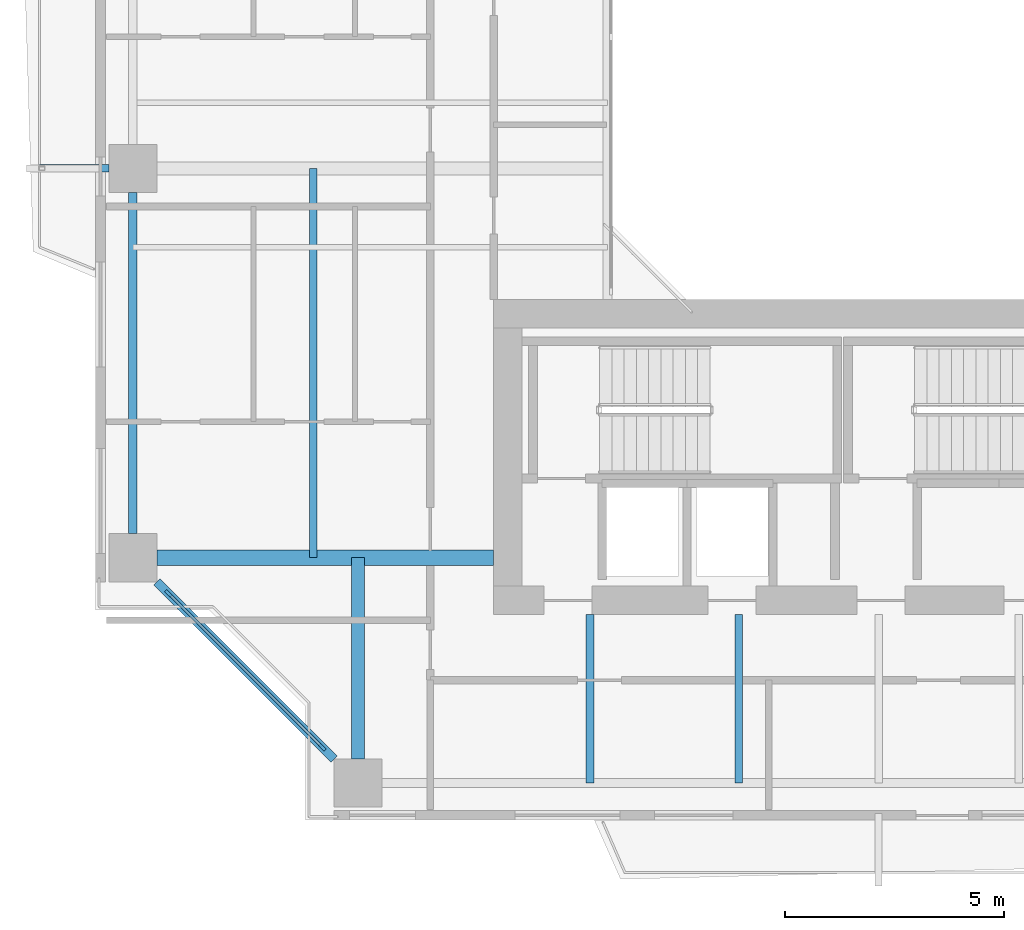
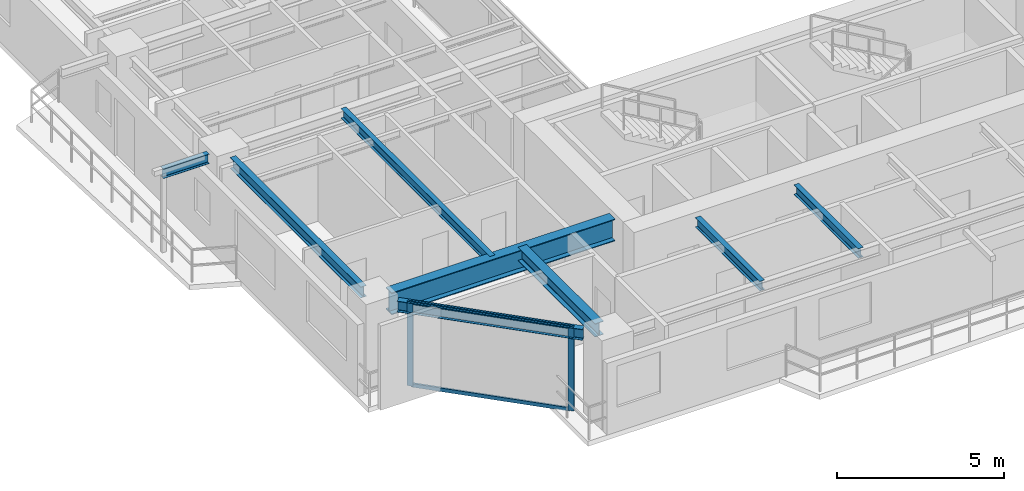
# One storey, part 2 of 24: 8 beams, 4 members, 1 element without a shape of its own.
"""IFC4 building model written with IfcOpenShell, lengths in metres."""

from ifc_helpers import new_model, si_unit, direction, frame, origin, origin_2d, place, context, subcontext, project, spatial, rectangle, i_section, extrude, source, transform, mapped, material, layer, layer_set, material_profile, profile_set, type_object, element, aggregate, save


model = new_model("IFC4")

# Units and contexts
model_context = context("Model", 3, precision=1e-05, world=origin(), true_north=direction((0.0, 1.0)))
body_context = subcontext(model_context, "Body", "Model", "MODEL_VIEW")
ifc_project = project(units=[si_unit("LENGTHUNIT", "METRE"), si_unit("AREAUNIT", "SQUARE_METRE"), si_unit("VOLUMEUNIT", "CUBIC_METRE"), si_unit("PLANEANGLEUNIT", "RADIAN"), si_unit("MASSUNIT", "GRAM", prefix="KILO"), si_unit("THERMODYNAMICTEMPERATUREUNIT", "KELVIN"), si_unit("POWERUNIT", "WATT")], contexts=[model_context])

# Site, building, storey
site_placement = place(None, origin())
site = spatial("IfcSite", under=ifc_project, at=site_placement, CompositionType="ELEMENT")
building_placement = place(site_placement, origin())
building = spatial("IfcBuilding", under=site, at=building_placement, Name="Qiaomeng Ring Towers", CompositionType="ELEMENT")
storey_placement = place(building_placement, frame((0.0, 0.0, 106.75)))
storey = spatial("IfcBuildingStorey", under=building, at=storey_placement, Name="L30", CompositionType="ELEMENT", Elevation=106.75)

# Beams
ifc_material_1 = material(Name="Steel Q355B", Category="steel")
ifc_material_profile_1 = material_profile(ifc_material_1, i_section(OverallWidth=0.199951171875, OverallDepth=0.39990234375, WebThickness=0.008056640625, FlangeThickness=0.012939453125, FilletRadius=0.01611328125, at=origin_2d()), Name="HN 400x200x8x13")
ifc_profile_set_1 = profile_set([ifc_material_profile_1], Name="Steel Q355B")
beam_type_1 = type_object("IfcBeamType", Name="STR-BM-HN400", PredefinedType="SPANDREL", material=ifc_profile_set_1)
shared_shape_1 = source(origin(), body_context, "Body", "SweptSolid", [
    extrude(i_section(OverallWidth=0.199951171875, OverallDepth=0.39990234375, WebThickness=0.008056640625, FlangeThickness=0.012939453125, FilletRadius=0.01611328125, at=origin_2d()), origin(), (0.0, 0.0, 1.0), 5.729736328125),
])
beam_1_placement = place(storey_placement, frame((2.499267578125, 10.55078125, 2.8701171875), z_axis=(0.707106781187, -0.707106781187, 0.0), x_axis=(0.707106781187, 0.707106781187, 0.0)))
element("IfcBeam", 1, at=beam_1_placement, inside=storey, type_object=beam_type_1, Name="L30 beam STR-SP-L30-T1-W1-S1", PredefinedType="SPANDREL", context=body_context, shape_type="MappedRepresentation", body=[
    mapped(shared_shape_1, transform((0.0, 0.0, 0.0), x_axis=(1.0, 0.0, 0.0), y_axis=(0.0, 1.0, 0.0), z_axis=(0.0, 0.0, 1.0), scale=1.0)),
])
shared_shape_2 = source(origin(), body_context, "Body", "SweptSolid", [
    extrude(i_section(OverallWidth=0.199951171875, OverallDepth=0.39990234375, WebThickness=0.008056640625, FlangeThickness=0.012939453125, FilletRadius=0.01611328125, at=origin_2d()), origin(), (0.0, 0.0, 1.0), 7.802001953125),
])
beam_2_placement = place(storey_placement, frame((1.949951171875, 19.450927734375, 2.8701171875), z_axis=(0.0, -1.0, 0.0), x_axis=(1.0, 0.0, 0.0)))
element("IfcBeam", 2, at=beam_2_placement, inside=storey, type_object=beam_type_1, Name="L30 beam STR-SP-L30-T1-W2-W1", PredefinedType="SPANDREL", context=body_context, shape_type="MappedRepresentation", body=[
    mapped(shared_shape_2, transform((0.0, 0.0, 0.0), x_axis=(1.0, 0.0, 0.0), y_axis=(0.0, 1.0, 0.0), z_axis=(0.0, 0.0, 1.0), scale=1.0)),
])
ifc_material_2 = material(Name="Steel Q390GJC", Category="steel")
ifc_material_profile_2 = material_profile(ifc_material_2, i_section(OverallWidth=0.35009765625, OverallDepth=0.800048828125, WebThickness=0.01611328125, FlangeThickness=0.028076171875, at=origin_2d()), Name="WH 800x350x16x28")
ifc_profile_set_2 = profile_set([ifc_material_profile_2], Name="Steel Q390GJC")
beam_type_2 = type_object("IfcBeamType", Name="STR-BM-WH800", PredefinedType="BEAM", material=ifc_profile_set_2)
shared_shape_3 = source(origin(), body_context, "Body", "SweptSolid", [
    extrude(i_section(OverallWidth=0.35009765625, OverallDepth=0.800048828125, WebThickness=0.01611328125, FlangeThickness=0.028076171875, at=origin_2d()), origin(), (0.0, 0.0, 1.0), 7.700927734375),
])
beam_3_placement = place(storey_placement, frame((2.4990234375, 11.10009765625, 2.669921875), z_axis=(1.0, 0.0, 0.0), x_axis=(0.0, 1.0, 0.0)))
element("IfcBeam", 3, at=beam_3_placement, inside=storey, type_object=beam_type_2, Name="L30 beam STR-BM-L30-T1-RAD-W1", PredefinedType="BEAM", context=body_context, shape_type="MappedRepresentation", body=[
    mapped(shared_shape_3, transform((0.0, 0.0, 0.0), x_axis=(1.0, 0.0, 0.0), y_axis=(0.0, 1.0, 0.0), z_axis=(0.0, 0.0, 1.0), scale=1.0)),
])
ifc_material_profile_3 = material_profile(ifc_material_1, i_section(OverallWidth=0.300048828125, OverallDepth=0.488037109375, WebThickness=0.010986328125, FlangeThickness=0.01806640625, FilletRadius=0.02587890625, at=origin_2d()), Name="HM 488x300x11x18")
ifc_profile_set_3 = profile_set([ifc_material_profile_3], Name="Steel Q355B")
beam_type_3 = type_object("IfcBeamType", Name="STR-BM-HM488", PredefinedType="BEAM", material=ifc_profile_set_3)
shared_shape_4 = source(origin(), body_context, "Body", "SweptSolid", [
    extrude(i_section(OverallWidth=0.300048828125, OverallDepth=0.488037109375, WebThickness=0.010986328125, FlangeThickness=0.01806640625, FilletRadius=0.02587890625, at=origin_2d()), origin(), (0.0, 0.0, 1.0), 4.60107421875),
])
beam_4_placement = place(storey_placement, frame((7.10009765625, 6.4990234375, 2.825927734375), z_axis=(0.0, 1.0, 0.0), x_axis=(-1.0, 0.0, 0.0)))
element("IfcBeam", 4, at=beam_4_placement, inside=storey, type_object=beam_type_3, Name="L30 beam STR-BM-L30-T1-RAD-S1", PredefinedType="BEAM", context=body_context, shape_type="MappedRepresentation", body=[
    mapped(shared_shape_4, transform((0.0, 0.0, 0.0), x_axis=(1.0, 0.0, 0.0), y_axis=(0.0, 1.0, 0.0), z_axis=(0.0, 0.0, 1.0), scale=1.0)),
])
ifc_material_profile_4 = material_profile(ifc_material_1, i_section(OverallWidth=0.175048828125, OverallDepth=0.35009765625, WebThickness=0.007080078125, FlangeThickness=0.010986328125, FilletRadius=0.013916015625, at=origin_2d()), Name="HN 350x175x7x11")
ifc_profile_set_4 = profile_set([ifc_material_profile_4], Name="Steel Q355B")
beam_type_4 = type_object("IfcBeamType", Name="STR-BM-HN350", PredefinedType="JOIST", material=ifc_profile_set_4)
shared_shape_5 = source(origin(), body_context, "Body", "SweptSolid", [
    extrude(i_section(OverallWidth=0.175048828125, OverallDepth=0.35009765625, WebThickness=0.007080078125, FlangeThickness=0.010986328125, FilletRadius=0.013916015625, at=origin_2d()), origin(), (0.0, 0.0, 1.0), 1.580810546875),
])
beam_5_placement = place(storey_placement, frame((-0.179931640625, 20.0, 2.89501953125), z_axis=(1.0, 0.0, 0.0), x_axis=(0.0, 1.0, 0.0)))
element("IfcBeam", 5, at=beam_5_placement, inside=storey, type_object=beam_type_4, Name="L30 beam STR-BALBM-L30-W2", PredefinedType="JOIST", context=body_context, shape_type="MappedRepresentation", body=[
    mapped(shared_shape_5, transform((0.0, 0.0, 0.0), x_axis=(1.0, 0.0, 0.0), y_axis=(0.0, 1.0, 0.0), z_axis=(0.0, 0.0, 1.0), scale=1.0)),
])
shared_shape_6 = source(origin(), body_context, "Body", "SweptSolid", [
    extrude(i_section(OverallWidth=0.175048828125, OverallDepth=0.35009765625, WebThickness=0.007080078125, FlangeThickness=0.010986328125, FilletRadius=0.013916015625, at=origin_2d()), origin(), (0.0, 0.0, 1.0), 3.85009765625),
])
for number, where, z_axis, x_axis, name in (
    (6, (12.39990234375, 5.949951171875, 2.89501953125), (0.0, 1.0, 0.0), (-1.0, 0.0, 0.0), "L30 beam STR-JST-L30-T1S-1"),
    (7, (15.800048828125, 5.949951171875, 2.89501953125), (0.0, 1.0, 0.0), (-1.0, 0.0, 0.0), "L30 beam STR-JST-L30-T1S-2"),
):
    element("IfcBeam", number, at=place(storey_placement, frame(where, z_axis=z_axis, x_axis=x_axis)), inside=storey, type_object=beam_type_4, Name=name, PredefinedType="JOIST", context=body_context, shape_type="MappedRepresentation", body=[
        mapped(shared_shape_6, transform((0.0, 0.0, 0.0), x_axis=(1.0, 0.0, 0.0), y_axis=(0.0, 1.0, 0.0), z_axis=(0.0, 0.0, 1.0), scale=1.0)),
    ])
shared_shape_7 = source(origin(), body_context, "Body", "SweptSolid", [
    extrude(i_section(OverallWidth=0.175048828125, OverallDepth=0.35009765625, WebThickness=0.007080078125, FlangeThickness=0.010986328125, FilletRadius=0.013916015625, at=origin_2d()), origin(), (0.0, 0.0, 1.0), 8.89990234375),
])
beam_6_placement = place(storey_placement, frame((6.074951171875, 11.10009765625, 2.89501953125), z_axis=(0.0, 1.0, 0.0), x_axis=(-1.0, 0.0, 0.0)))
element("IfcBeam", 8, at=beam_6_placement, inside=storey, type_object=beam_type_4, Name="L30 beam STR-JST-L30-T1C-WS", PredefinedType="JOIST", context=body_context, shape_type="MappedRepresentation", body=[
    mapped(shared_shape_7, transform((0.0, 0.0, 0.0), x_axis=(1.0, 0.0, 0.0), y_axis=(0.0, 1.0, 0.0), z_axis=(0.0, 0.0, 1.0), scale=1.0)),
])

# Curtain wall, members
ifc_material_3 = material(Name="Fluorocarbon dark-grey aluminium", Category="aluminium")
ifc_layer = layer(ifc_material_3, 0.14990234375, Name="Fluorocarbon dark-grey aluminium")
ifc_layer_set = layer_set([ifc_layer], Name="Fluorocarbon dark-grey aluminium")
curtain_wall_type = type_object("IfcCurtainWallType", Name="ARC-CW-3", PredefinedType="NOTDEFINED", material=ifc_layer_set)
curtain_wall_placement = place(storey_placement, origin())
curtain_wall = element("IfcCurtainWall", 9, at=curtain_wall_placement, inside=storey, type_object=curtain_wall_type, Name="L30 Curtain Wall CW3", PredefinedType="NOTDEFINED")
ifc_material_profile_5 = material_profile(ifc_material_3, rectangle(XDim=0.070068359375, YDim=0.179931640625, at=origin_2d()), Name="ALU MULL 70x180")
ifc_profile_set_5 = profile_set([ifc_material_profile_5], Name="Fluorocarbon dark-grey aluminium")
member_type_1 = type_object("IfcMemberType", Name="ARC-CWM-160", PredefinedType="MULLION", material=ifc_profile_set_5)
shared_shape_8 = source(origin(), body_context, "Body", "SweptSolid", [
    extrude(rectangle(XDim=0.070068359375, YDim=0.179931640625, at=origin_2d()), origin(), (0.0, 0.0, 1.0), 3.070068359375),
])
member_1_placement = place(storey_placement, frame((2.7646484375, 10.28515625, 0.0), z_axis=(0.0, 0.0, 1.0), x_axis=(0.707106781187, 0.707106781187, 0.0)))
member_1 = element("IfcMember", 10, at=member_1_placement, type_object=member_type_1, Name="CW3 mullion 1", PredefinedType="MULLION", context=body_context, shape_type="MappedRepresentation", body=[
    mapped(shared_shape_8, transform((0.0, 0.0, 0.0), x_axis=(1.0, 0.0, 0.0), y_axis=(0.0, 1.0, 0.0), z_axis=(0.0, 0.0, 1.0), scale=1.0)),
])
member_2_placement = place(storey_placement, frame((6.28515625, 6.7646484375, 0.0), z_axis=(0.0, 0.0, 1.0), x_axis=(0.707106781187, 0.707106781187, 0.0)))
member_2 = element("IfcMember", 11, at=member_2_placement, type_object=member_type_1, Name="CW3 mullion 2", PredefinedType="MULLION", context=body_context, shape_type="MappedRepresentation", body=[
    mapped(shared_shape_8, transform((0.0, 0.0, 0.0), x_axis=(1.0, 0.0, 0.0), y_axis=(0.0, 1.0, 0.0), z_axis=(0.0, 0.0, 1.0), scale=1.0)),
])
ifc_material_profile_6 = material_profile(ifc_material_3, rectangle(XDim=0.06494140625, YDim=0.1298828125, at=origin_2d()), Name="ALU TRAN 65x130")
ifc_profile_set_6 = profile_set([ifc_material_profile_6], Name="Fluorocarbon dark-grey aluminium")
member_type_2 = type_object("IfcMemberType", Name="ARC-CWT-120", PredefinedType="USERDEFINED", material=ifc_profile_set_6)
shared_shape_9 = source(origin(), body_context, "Body", "SweptSolid", [
    extrude(rectangle(XDim=0.06494140625, YDim=0.1298828125, at=origin_2d()), origin(), (0.0, 0.0, 1.0), 4.90869140625),
])
member_3_placement = place(storey_placement, frame((2.78955078125, 10.260498046875, 0.032470703125), z_axis=(0.707106781187, -0.707106781187, 0.0), x_axis=(0.707106781187, 0.707106781187, 0.0)))
member_3 = element("IfcMember", 12, at=member_3_placement, type_object=member_type_2, Name="CW3 transom 1.1", ObjectType="TRANSOM", PredefinedType="USERDEFINED", context=body_context, shape_type="MappedRepresentation", body=[
    mapped(shared_shape_9, transform((0.0, 0.0, 0.0), x_axis=(1.0, 0.0, 0.0), y_axis=(0.0, 1.0, 0.0), z_axis=(0.0, 0.0, 1.0), scale=1.0)),
])
member_4_placement = place(storey_placement, frame((2.78955078125, 10.260498046875, 3.03759765625), z_axis=(0.707106781187, -0.707106781187, 0.0), x_axis=(0.707106781187, 0.707106781187, 0.0)))
member_4 = element("IfcMember", 13, at=member_4_placement, type_object=member_type_2, Name="CW3 transom 1.2", ObjectType="TRANSOM", PredefinedType="USERDEFINED", context=body_context, shape_type="MappedRepresentation", body=[
    mapped(shared_shape_9, transform((0.0, 0.0, 0.0), x_axis=(1.0, 0.0, 0.0), y_axis=(0.0, 1.0, 0.0), z_axis=(0.0, 0.0, 1.0), scale=1.0)),
])
aggregate(curtain_wall, [member_1, member_2, member_3, member_4])

save(model, "model.ifc")
